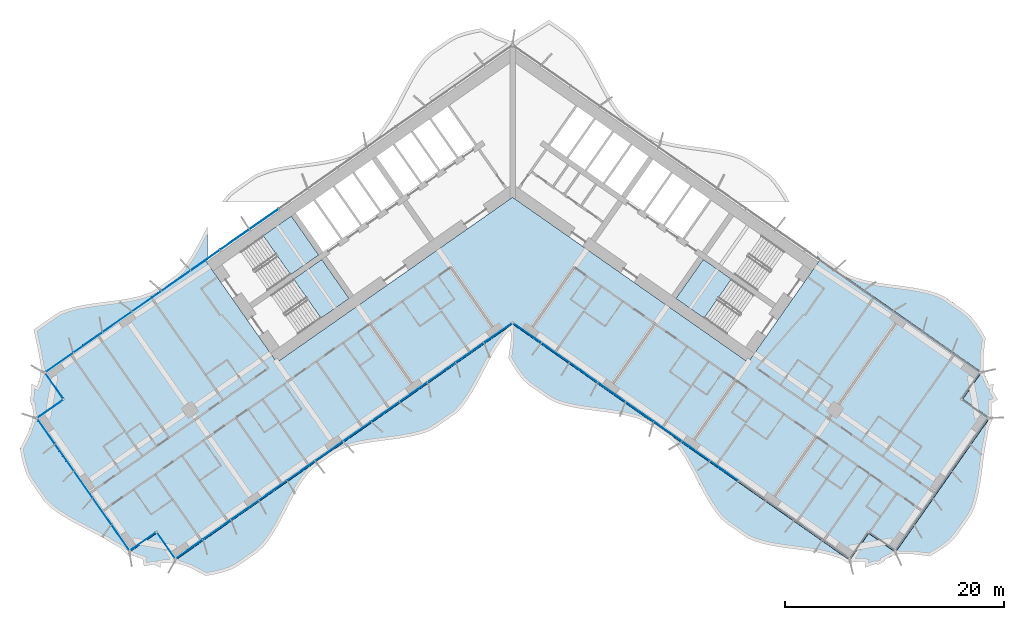
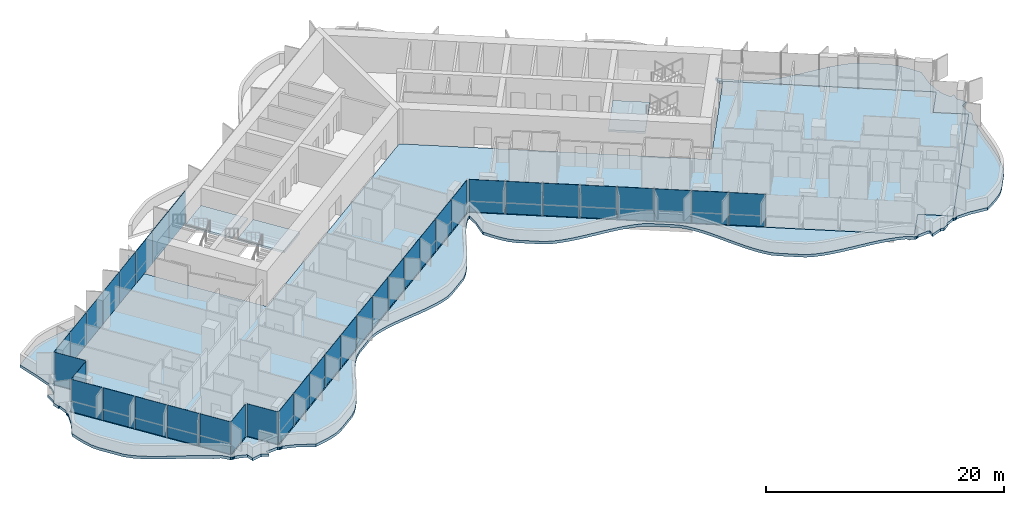
# One storey, part 11 of 25: 37 plates, 5 slabs, 5 elements without a shape of their own.
"""IFC4 building model written with IfcOpenShell, lengths in metres."""

from ifc_helpers import new_model, si_unit, direction, frame, origin, origin_2d, place, context, subcontext, project, spatial, polyline, rectangle, outline, extrude, material, layer, layer_set, type_object, element, aggregate, save


model = new_model("IFC4")

# Units and contexts
model_context = context("Model", 3, precision=1e-05, world=origin(), true_north=direction((0.0, 1.0)))
body_context = subcontext(model_context, "Body", "Model", "MODEL_VIEW")
ifc_project = project(units=[si_unit("LENGTHUNIT", "METRE"), si_unit("AREAUNIT", "SQUARE_METRE"), si_unit("VOLUMEUNIT", "CUBIC_METRE"), si_unit("PLANEANGLEUNIT", "RADIAN"), si_unit("MASSUNIT", "GRAM", prefix="KILO")], contexts=[model_context])

# Site, building, storey
site_placement = place(None, origin())
site = spatial("IfcSite", under=ifc_project, at=site_placement, CompositionType="ELEMENT")
building_placement = place(site_placement, origin())
building = spatial("IfcBuilding", under=site, at=building_placement, Name="Tel Ilan Convention Tower", CompositionType="ELEMENT")
storey_placement = place(building_placement, frame((0.0, 0.0, 58.10009765625)))
storey = spatial("IfcBuildingStorey", under=building, at=storey_placement, Name="L09", CompositionType="ELEMENT", Elevation=58.10009765625)

# Curtain wall, plates
ifc_material_1 = material(Name="Aluminium, bronze anodised", Category="aluminium")
curtain_wall_type_1 = type_object("IfcCurtainWallType", Name="CW1 UNITISED CURTAIN WALL, HOTEL TINTED GLASS", PredefinedType="NOTDEFINED", material=ifc_material_1)
curtain_wall_1_placement = place(storey_placement, origin())
curtain_wall_1 = element("IfcCurtainWall", 1, at=curtain_wall_1_placement, inside=storey, type_object=curtain_wall_type_1, Name="Curtain wall CW1-11.02", PredefinedType="NOTDEFINED")
ifc_material_2 = material(Name="Glass, bronze tinted, two-ply unitised", Category="glass")
ifc_layer_1 = layer(ifc_material_2, 0.028076171875)
ifc_layer_set_1 = layer_set([ifc_layer_1], Name="CW HOTEL GLASS PANEL 28")
plate_type_1 = type_object("IfcPlateType", Name="CW HOTEL GLASS PANEL 28", PredefinedType="CURTAIN_PANEL", material=ifc_layer_set_1)
plate_1_placement = place(storey_placement, frame((-30.765869140625, -8.846435546875, 0.0), z_axis=(0.0, 0.0, 1.0), x_axis=(-0.819152044289, -0.573576436351, 0.0)))
plate_1 = element("IfcPlate", 2, at=plate_1_placement, type_object=plate_type_1, Name="Glass panel", PredefinedType="CURTAIN_PANEL", context=body_context, shape_type="SweptSolid", body=[
    extrude(rectangle(XDim=3.2119140625, YDim=0.028076171875, at=origin_2d()), origin(), (0.0, 0.0, 1.0), 3.320068359375),
])
plate_2_placement = place(storey_placement, frame((-33.446044921875, -10.72314453125, 0.0), z_axis=(0.0, 0.0, 1.0), x_axis=(-0.819152044289, -0.573576436351, 0.0)))
plate_2 = element("IfcPlate", 3, at=plate_2_placement, type_object=plate_type_1, Name="Glass panel", PredefinedType="CURTAIN_PANEL", context=body_context, shape_type="SweptSolid", body=[
    extrude(rectangle(XDim=3.2119140625, YDim=0.028076171875, at=origin_2d()), origin(), (0.0, 0.0, 1.0), 3.320068359375),
])
plate_3_placement = place(storey_placement, frame((-36.12646484375, -12.599853515625, 0.0), z_axis=(0.0, 0.0, 1.0), x_axis=(-0.819152044289, -0.573576436351, 0.0)))
plate_3 = element("IfcPlate", 4, at=plate_3_placement, type_object=plate_type_1, Name="Glass panel", PredefinedType="CURTAIN_PANEL", context=body_context, shape_type="SweptSolid", body=[
    extrude(rectangle(XDim=3.2119140625, YDim=0.028076171875, at=origin_2d()), origin(), (0.0, 0.0, 1.0), 3.320068359375),
])
plate_4_placement = place(storey_placement, frame((-38.806640625, -14.4765625, 0.0), z_axis=(0.0, 0.0, 1.0), x_axis=(-0.819152044289, -0.573576436351, 0.0)))
plate_4 = element("IfcPlate", 5, at=plate_4_placement, type_object=plate_type_1, Name="Glass panel", PredefinedType="CURTAIN_PANEL", context=body_context, shape_type="SweptSolid", body=[
    extrude(rectangle(XDim=3.2119140625, YDim=0.028076171875, at=origin_2d()), origin(), (0.0, 0.0, 1.0), 3.320068359375),
])
plate_5_placement = place(storey_placement, frame((-41.448486328125, -16.326416015625, 0.0), z_axis=(0.0, 0.0, 1.0), x_axis=(-0.819152044289, -0.573576436351, 0.0)))
plate_5 = element("IfcPlate", 6, at=plate_5_placement, type_object=plate_type_1, Name="Glass panel", PredefinedType="CURTAIN_PANEL", context=body_context, shape_type="SweptSolid", body=[
    extrude(rectangle(XDim=3.117919921875, YDim=0.028076171875, at=origin_2d()), origin(), (0.0, 0.0, 1.0), 3.320068359375),
])
plate_6_placement = place(storey_placement, frame((-41.90673828125, -18.431640625, 0.0), z_axis=(0.0, 0.0, 1.0), x_axis=(0.573576436351, -0.819152044289, 0.0)))
plate_6 = element("IfcPlate", 7, at=plate_6_placement, type_object=plate_type_1, Name="Glass panel", PredefinedType="CURTAIN_PANEL", context=body_context, shape_type="SweptSolid", body=[
    extrude(rectangle(XDim=2.875, YDim=0.028076171875, at=origin_2d()), origin(), (0.0, 0.0, 1.0), 3.320068359375),
])
plate_7_placement = place(storey_placement, frame((-42.28466796875, -20.57421875, 0.0), z_axis=(0.0, 0.0, 1.0), x_axis=(-0.819152044289, -0.573576436351, 0.0)))
plate_7 = element("IfcPlate", 8, at=plate_7_placement, type_object=plate_type_1, Name="Glass panel", PredefinedType="CURTAIN_PANEL", context=body_context, shape_type="SweptSolid", body=[
    extrude(rectangle(XDim=2.875, YDim=0.028076171875, at=origin_2d()), origin(), (0.0, 0.0, 1.0), 3.320068359375),
])
plate_8_placement = place(storey_placement, frame((-42.65185546875, -22.597900390625, 0.0), z_axis=(0.0, 0.0, 1.0), x_axis=(0.573576436351, -0.819152044289, 0.0)))
plate_8 = element("IfcPlate", 9, at=plate_8_placement, type_object=plate_type_1, Name="Glass panel", PredefinedType="CURTAIN_PANEL", context=body_context, shape_type="SweptSolid", body=[
    extrude(rectangle(XDim=2.845947265625, YDim=0.028076171875, at=origin_2d()), origin(), (0.0, 0.0, 1.0), 3.320068359375),
])
plate_9_placement = place(storey_placement, frame((-40.9580078125, -25.016845703125, 0.0), z_axis=(0.0, 0.0, 1.0), x_axis=(0.573576436351, -0.819152044289, 0.0)))
plate_9 = element("IfcPlate", 10, at=plate_9_placement, type_object=plate_type_1, Name="Glass panel", PredefinedType="CURTAIN_PANEL", context=body_context, shape_type="SweptSolid", body=[
    extrude(rectangle(XDim=2.93994140625, YDim=0.028076171875, at=origin_2d()), origin(), (0.0, 0.0, 1.0), 3.320068359375),
])
plate_10_placement = place(storey_placement, frame((-39.2373046875, -27.474365234375, 0.0), z_axis=(0.0, 0.0, 1.0), x_axis=(0.573576436351, -0.819152044289, 0.0)))
plate_10 = element("IfcPlate", 11, at=plate_10_placement, type_object=plate_type_1, Name="Glass panel", PredefinedType="CURTAIN_PANEL", context=body_context, shape_type="SweptSolid", body=[
    extrude(rectangle(XDim=2.93994140625, YDim=0.028076171875, at=origin_2d()), origin(), (0.0, 0.0, 1.0), 3.320068359375),
])
plate_11_placement = place(storey_placement, frame((-37.5166015625, -29.931884765625, 0.0), z_axis=(0.0, 0.0, 1.0), x_axis=(0.573576436351, -0.819152044289, 0.0)))
plate_11 = element("IfcPlate", 12, at=plate_11_placement, type_object=plate_type_1, Name="Glass panel", PredefinedType="CURTAIN_PANEL", context=body_context, shape_type="SweptSolid", body=[
    extrude(rectangle(XDim=2.93994140625, YDim=0.028076171875, at=origin_2d()), origin(), (0.0, 0.0, 1.0), 3.320068359375),
])
plate_12_placement = place(storey_placement, frame((-35.822998046875, -32.350830078125, 0.0), z_axis=(0.0, 0.0, 1.0), x_axis=(0.573576436351, -0.819152044289, 0.0)))
plate_12 = element("IfcPlate", 13, at=plate_12_placement, type_object=plate_type_1, Name="Glass panel", PredefinedType="CURTAIN_PANEL", context=body_context, shape_type="SweptSolid", body=[
    extrude(rectangle(XDim=2.845947265625, YDim=0.028076171875, at=origin_2d()), origin(), (0.0, 0.0, 1.0), 3.320068359375),
])
plate_13_placement = place(storey_placement, frame((-33.795654296875, -32.69775390625, 0.0), z_axis=(0.0, 0.0, 1.0), x_axis=(0.819152044289, 0.573576436351, 0.0)))
plate_13 = element("IfcPlate", 14, at=plate_13_placement, type_object=plate_type_1, Name="Glass panel", PredefinedType="CURTAIN_PANEL", context=body_context, shape_type="SweptSolid", body=[
    extrude(rectangle(XDim=2.875, YDim=0.028076171875, at=origin_2d()), origin(), (0.0, 0.0, 1.0), 3.320068359375),
])
plate_14_placement = place(storey_placement, frame((-31.653076171875, -33.07568359375, 0.0), z_axis=(0.0, 0.0, 1.0), x_axis=(0.573576436351, -0.819152044289, 0.0)))
plate_14 = element("IfcPlate", 15, at=plate_14_placement, type_object=plate_type_1, Name="Glass panel", PredefinedType="CURTAIN_PANEL", context=body_context, shape_type="SweptSolid", body=[
    extrude(rectangle(XDim=2.875, YDim=0.028076171875, at=origin_2d()), origin(), (0.0, 0.0, 1.0), 3.320068359375),
])
plate_15_placement = place(storey_placement, frame((-29.5732421875, -33.4033203125, 0.0), z_axis=(0.0, 0.0, 1.0), x_axis=(0.819152044289, 0.573576436351, 0.0)))
plate_15 = element("IfcPlate", 16, at=plate_15_placement, type_object=plate_type_1, Name="Glass panel", PredefinedType="CURTAIN_PANEL", context=body_context, shape_type="SweptSolid", body=[
    extrude(rectangle(XDim=2.9833984375, YDim=0.028076171875, at=origin_2d()), origin(), (0.0, 0.0, 1.0), 3.320068359375),
])
plate_16_placement = place(storey_placement, frame((-27.041748046875, -31.630859375, 0.0), z_axis=(0.0, 0.0, 1.0), x_axis=(0.819152044289, 0.573576436351, 0.0)))
plate_16 = element("IfcPlate", 17, at=plate_16_placement, type_object=plate_type_1, Name="Glass panel", PredefinedType="CURTAIN_PANEL", context=body_context, shape_type="SweptSolid", body=[
    extrude(rectangle(XDim=3.077392578125, YDim=0.028076171875, at=origin_2d()), origin(), (0.0, 0.0, 1.0), 3.320068359375),
])
plate_17_placement = place(storey_placement, frame((-24.4716796875, -29.831298828125, 0.0), z_axis=(0.0, 0.0, 1.0), x_axis=(0.819152044289, 0.573576436351, 0.0)))
plate_17 = element("IfcPlate", 18, at=plate_17_placement, type_object=plate_type_1, Name="Glass panel", PredefinedType="CURTAIN_PANEL", context=body_context, shape_type="SweptSolid", body=[
    extrude(rectangle(XDim=3.077392578125, YDim=0.028076171875, at=origin_2d()), origin(), (0.0, 0.0, 1.0), 3.320068359375),
])
plate_18_placement = place(storey_placement, frame((-21.90185546875, -28.031982421875, 0.0), z_axis=(0.0, 0.0, 1.0), x_axis=(0.819152044289, 0.573576436351, 0.0)))
plate_18 = element("IfcPlate", 19, at=plate_18_placement, type_object=plate_type_1, Name="Glass panel", PredefinedType="CURTAIN_PANEL", context=body_context, shape_type="SweptSolid", body=[
    extrude(rectangle(XDim=3.077392578125, YDim=0.028076171875, at=origin_2d()), origin(), (0.0, 0.0, 1.0), 3.320068359375),
])
plate_19_placement = place(storey_placement, frame((-19.33203125, -26.232421875, 0.0), z_axis=(0.0, 0.0, 1.0), x_axis=(0.819152044289, 0.573576436351, 0.0)))
plate_19 = element("IfcPlate", 20, at=plate_19_placement, type_object=plate_type_1, Name="Glass panel", PredefinedType="CURTAIN_PANEL", context=body_context, shape_type="SweptSolid", body=[
    extrude(rectangle(XDim=3.077392578125, YDim=0.028076171875, at=origin_2d()), origin(), (0.0, 0.0, 1.0), 3.320068359375),
])
plate_20_placement = place(storey_placement, frame((-16.761962890625, -24.432861328125, 0.0), z_axis=(0.0, 0.0, 1.0), x_axis=(0.819152044289, 0.573576436351, 0.0)))
plate_20 = element("IfcPlate", 21, at=plate_20_placement, type_object=plate_type_1, Name="Glass panel", PredefinedType="CURTAIN_PANEL", context=body_context, shape_type="SweptSolid", body=[
    extrude(rectangle(XDim=3.077392578125, YDim=0.028076171875, at=origin_2d()), origin(), (0.0, 0.0, 1.0), 3.320068359375),
])
plate_21_placement = place(storey_placement, frame((-14.192138671875, -22.633544921875, 0.0), z_axis=(0.0, 0.0, 1.0), x_axis=(0.819152044289, 0.573576436351, 0.0)))
plate_21 = element("IfcPlate", 22, at=plate_21_placement, type_object=plate_type_1, Name="Glass panel", PredefinedType="CURTAIN_PANEL", context=body_context, shape_type="SweptSolid", body=[
    extrude(rectangle(XDim=3.077392578125, YDim=0.028076171875, at=origin_2d()), origin(), (0.0, 0.0, 1.0), 3.320068359375),
])
plate_22_placement = place(storey_placement, frame((-11.6220703125, -20.833984375, 0.0), z_axis=(0.0, 0.0, 1.0), x_axis=(0.819152044289, 0.573576436351, 0.0)))
plate_22 = element("IfcPlate", 23, at=plate_22_placement, type_object=plate_type_1, Name="Glass panel", PredefinedType="CURTAIN_PANEL", context=body_context, shape_type="SweptSolid", body=[
    extrude(rectangle(XDim=3.077392578125, YDim=0.028076171875, at=origin_2d()), origin(), (0.0, 0.0, 1.0), 3.320068359375),
])
plate_23_placement = place(storey_placement, frame((-9.05224609375, -19.034423828125, 0.0), z_axis=(0.0, 0.0, 1.0), x_axis=(0.819152044289, 0.573576436351, 0.0)))
plate_23 = element("IfcPlate", 24, at=plate_23_placement, type_object=plate_type_1, Name="Glass panel", PredefinedType="CURTAIN_PANEL", context=body_context, shape_type="SweptSolid", body=[
    extrude(rectangle(XDim=3.077392578125, YDim=0.028076171875, at=origin_2d()), origin(), (0.0, 0.0, 1.0), 3.320068359375),
])
plate_24_placement = place(storey_placement, frame((-6.482177734375, -17.23486328125, 0.0), z_axis=(0.0, 0.0, 1.0), x_axis=(0.819152044289, 0.573576436351, 0.0)))
plate_24 = element("IfcPlate", 25, at=plate_24_placement, type_object=plate_type_1, Name="Glass panel", PredefinedType="CURTAIN_PANEL", context=body_context, shape_type="SweptSolid", body=[
    extrude(rectangle(XDim=3.077392578125, YDim=0.028076171875, at=origin_2d()), origin(), (0.0, 0.0, 1.0), 3.320068359375),
])
plate_25_placement = place(storey_placement, frame((-3.912353515625, -15.435546875, 0.0), z_axis=(0.0, 0.0, 1.0), x_axis=(0.819152044289, 0.573576436351, 0.0)))
plate_25 = element("IfcPlate", 26, at=plate_25_placement, type_object=plate_type_1, Name="Glass panel", PredefinedType="CURTAIN_PANEL", context=body_context, shape_type="SweptSolid", body=[
    extrude(rectangle(XDim=3.077392578125, YDim=0.028076171875, at=origin_2d()), origin(), (0.0, 0.0, 1.0), 3.320068359375),
])
plate_26_placement = place(storey_placement, frame((-1.3427734375, -13.63623046875, 0.0), z_axis=(0.0, 0.0, 1.0), x_axis=(0.819152044289, 0.573576436351, 0.0)))
plate_26 = element("IfcPlate", 27, at=plate_26_placement, type_object=plate_type_1, Name="Glass panel", PredefinedType="CURTAIN_PANEL", context=body_context, shape_type="SweptSolid", body=[
    extrude(rectangle(XDim=3.076416015625, YDim=0.028076171875, at=origin_2d()), origin(), (0.0, 0.0, 1.0), 3.320068359375),
])
plate_27_placement = place(storey_placement, frame((1.354248046875, -13.644287109375, 0.0), z_axis=(0.0, 0.0, 1.0), x_axis=(0.819152044289, -0.573576436351, 0.0)))
plate_27 = element("IfcPlate", 28, at=plate_27_placement, type_object=plate_type_1, Name="Glass panel", PredefinedType="CURTAIN_PANEL", context=body_context, shape_type="SweptSolid", body=[
    extrude(rectangle(XDim=3.048095703125, YDim=0.028076171875, at=origin_2d()), origin(), (0.0, 0.0, 1.0), 3.320068359375),
])
plate_28_placement = place(storey_placement, frame((3.912353515625, -15.435546875, 0.0), z_axis=(0.0, 0.0, 1.0), x_axis=(0.819152044289, -0.573576436351, 0.0)))
plate_28 = element("IfcPlate", 29, at=plate_28_placement, type_object=plate_type_1, Name="Glass panel", PredefinedType="CURTAIN_PANEL", context=body_context, shape_type="SweptSolid", body=[
    extrude(rectangle(XDim=3.077392578125, YDim=0.028076171875, at=origin_2d()), origin(), (0.0, 0.0, 1.0), 3.320068359375),
])
plate_29_placement = place(storey_placement, frame((6.482177734375, -17.23486328125, 0.0), z_axis=(0.0, 0.0, 1.0), x_axis=(0.819152044289, -0.573576436351, 0.0)))
plate_29 = element("IfcPlate", 30, at=plate_29_placement, type_object=plate_type_1, Name="Glass panel", PredefinedType="CURTAIN_PANEL", context=body_context, shape_type="SweptSolid", body=[
    extrude(rectangle(XDim=3.077392578125, YDim=0.028076171875, at=origin_2d()), origin(), (0.0, 0.0, 1.0), 3.320068359375),
])
plate_30_placement = place(storey_placement, frame((9.05224609375, -19.034423828125, 0.0), z_axis=(0.0, 0.0, 1.0), x_axis=(0.819152044289, -0.573576436351, 0.0)))
plate_30 = element("IfcPlate", 31, at=plate_30_placement, type_object=plate_type_1, Name="Glass panel", PredefinedType="CURTAIN_PANEL", context=body_context, shape_type="SweptSolid", body=[
    extrude(rectangle(XDim=3.077392578125, YDim=0.028076171875, at=origin_2d()), origin(), (0.0, 0.0, 1.0), 3.320068359375),
])
plate_31_placement = place(storey_placement, frame((11.6220703125, -20.833984375, 0.0), z_axis=(0.0, 0.0, 1.0), x_axis=(0.819152044289, -0.573576436351, 0.0)))
plate_31 = element("IfcPlate", 32, at=plate_31_placement, type_object=plate_type_1, Name="Glass panel", PredefinedType="CURTAIN_PANEL", context=body_context, shape_type="SweptSolid", body=[
    extrude(rectangle(XDim=3.077392578125, YDim=0.028076171875, at=origin_2d()), origin(), (0.0, 0.0, 1.0), 3.320068359375),
])
plate_32_placement = place(storey_placement, frame((14.192138671875, -22.633544921875, 0.0), z_axis=(0.0, 0.0, 1.0), x_axis=(0.819152044289, -0.573576436351, 0.0)))
plate_32 = element("IfcPlate", 33, at=plate_32_placement, type_object=plate_type_1, Name="Glass panel", PredefinedType="CURTAIN_PANEL", context=body_context, shape_type="SweptSolid", body=[
    extrude(rectangle(XDim=3.077392578125, YDim=0.028076171875, at=origin_2d()), origin(), (0.0, 0.0, 1.0), 3.320068359375),
])
plate_33_placement = place(storey_placement, frame((16.761962890625, -24.432861328125, 0.0), z_axis=(0.0, 0.0, 1.0), x_axis=(0.819152044289, -0.573576436351, 0.0)))
plate_33 = element("IfcPlate", 34, at=plate_33_placement, type_object=plate_type_1, Name="Glass panel", PredefinedType="CURTAIN_PANEL", context=body_context, shape_type="SweptSolid", body=[
    extrude(rectangle(XDim=3.077392578125, YDim=0.028076171875, at=origin_2d()), origin(), (0.0, 0.0, 1.0), 3.320068359375),
])
plate_34_placement = place(storey_placement, frame((19.33203125, -26.232421875, 0.0), z_axis=(0.0, 0.0, 1.0), x_axis=(0.819152044289, -0.573576436351, 0.0)))
plate_34 = element("IfcPlate", 35, at=plate_34_placement, type_object=plate_type_1, Name="Glass panel", PredefinedType="CURTAIN_PANEL", context=body_context, shape_type="SweptSolid", body=[
    extrude(rectangle(XDim=3.077392578125, YDim=0.028076171875, at=origin_2d()), origin(), (0.0, 0.0, 1.0), 3.320068359375),
])
aggregate(curtain_wall_1, [plate_1, plate_2, plate_3, plate_4, plate_5, plate_6, plate_7, plate_8, plate_9, plate_10, plate_11, plate_12, plate_13, plate_14, plate_15, plate_16, plate_17, plate_18, plate_19, plate_20, plate_21, plate_22, plate_23, plate_24, plate_25, plate_26, plate_27, plate_28, plate_29, plate_30, plate_31, plate_32, plate_33, plate_34])

ifc_material_3 = material(Name="Aluminium, bronze anodised", Category="aluminium")
curtain_wall_type_2 = type_object("IfcCurtainWallType", Name="CW2 STICK CURTAIN WALL, SPANDREL PANELS", PredefinedType="NOTDEFINED", material=ifc_material_3)
curtain_wall_2_placement = place(storey_placement, origin())
curtain_wall_2 = element("IfcCurtainWall", 36, at=curtain_wall_2_placement, inside=storey, type_object=curtain_wall_type_2, Name="Curtain wall CW2-11.01", PredefinedType="NOTDEFINED")
ifc_material_4 = material(Name="Aluminium composite panel, bronze anodised", Category="aluminium")
ifc_layer_2 = layer(ifc_material_4, 0.06005859375)
ifc_layer_set_2 = layer_set([ifc_layer_2], Name="CW SPANDREL PANEL 60")
plate_type_2 = type_object("IfcPlateType", Name="CW SPANDREL PANEL 60", PredefinedType="CURTAIN_PANEL", material=ifc_layer_set_2)
plate_35_placement = place(storey_placement, frame((-22.72509765625, -3.216064453125, 0.0), z_axis=(0.0, 0.0, 1.0), x_axis=(-0.819152044289, -0.573576436351, 0.0)))
plate_35 = element("IfcPlate", 37, at=plate_35_placement, type_object=plate_type_2, Name="Spandrel panel", PredefinedType="CURTAIN_PANEL", context=body_context, shape_type="SweptSolid", body=[
    extrude(rectangle(XDim=3.2119140625, YDim=0.06005859375, at=origin_2d()), origin(), (0.0, 0.0, 1.0), 3.320068359375),
])
plate_36_placement = place(storey_placement, frame((-25.4052734375, -5.0927734375, 0.0), z_axis=(0.0, 0.0, 1.0), x_axis=(-0.819152044289, -0.573576436351, 0.0)))
plate_36 = element("IfcPlate", 38, at=plate_36_placement, type_object=plate_type_2, Name="Spandrel panel", PredefinedType="CURTAIN_PANEL", context=body_context, shape_type="SweptSolid", body=[
    extrude(rectangle(XDim=3.2119140625, YDim=0.06005859375, at=origin_2d()), origin(), (0.0, 0.0, 1.0), 3.320068359375),
])
plate_37_placement = place(storey_placement, frame((-28.08544921875, -6.9697265625, 0.0), z_axis=(0.0, 0.0, 1.0), x_axis=(-0.819152044289, -0.573576436351, 0.0)))
plate_37 = element("IfcPlate", 39, at=plate_37_placement, type_object=plate_type_2, Name="Spandrel panel", PredefinedType="CURTAIN_PANEL", context=body_context, shape_type="SweptSolid", body=[
    extrude(rectangle(XDim=3.2119140625, YDim=0.06005859375, at=origin_2d()), origin(), (0.0, 0.0, 1.0), 3.320068359375),
])
aggregate(curtain_wall_2, [plate_35, plate_36, plate_37])

# Stair, slab
ifc_material_5 = material(Name="Concrete C40/50", Category="concrete")
stair_type = type_object("IfcStairType", Name="Pressurised Exit Stair 20 risers 180 mm", PredefinedType="HALF_TURN_STAIR", material=ifc_material_5)
stair_1_placement = place(storey_placement, origin())
stair_1 = element("IfcStair", 40, at=stair_1_placement, inside=storey, type_object=stair_type, Name="L09 Pressurised Stair S1", PredefinedType="HALF_TURN_STAIR")
ifc_material_6 = material(Name="Concrete C40/50", Category="concrete")
ifc_layer_3 = layer(ifc_material_6, 0.199951171875)
ifc_layer_set_3 = layer_set([ifc_layer_3], Name="Concrete Stair Landing 200 mm C40/50")
slab_type_1 = type_object("IfcSlabType", Name="Concrete Stair Landing 200 mm", PredefinedType="LANDING", material=ifc_layer_set_3)
slab_1_placement = place(storey_placement, frame((0.0, 0.0, 1.599853515625)))
slab_1 = element("IfcSlab", 41, at=slab_1_placement, type_object=slab_type_1, Name="S1 landing 1", PredefinedType="LANDING", context=body_context, shape_type="SweptSolid", body=[
    extrude(outline(polyline([(-20.2958984375, -8.29052734375), (-17.7314453125, -6.494873046875), (-20.226318359375, -2.931640625), (-22.791015625, -4.727294921875), (-20.2958984375, -8.29052734375)])), origin(), (0.0, 0.0, 1.0), 0.199951171875),
])
aggregate(stair_1, [slab_1])

stair_2_placement = place(storey_placement, origin())
stair_2 = element("IfcStair", 42, at=stair_2_placement, inside=storey, type_object=stair_type, Name="L09 Pressurised Stair S2", PredefinedType="HALF_TURN_STAIR")
slab_2_placement = place(storey_placement, frame((0.0, 0.0, 1.599853515625)))
slab_2 = element("IfcSlab", 43, at=slab_2_placement, type_object=slab_type_1, Name="S2 landing 1", PredefinedType="LANDING", context=body_context, shape_type="SweptSolid", body=[
    extrude(outline(polyline([(-17.51416015625, -12.263427734375), (-14.949462890625, -10.4677734375), (-17.444580078125, -6.904541015625), (-20.00927734375, -8.7001953125), (-17.51416015625, -12.263427734375)])), origin(), (0.0, 0.0, 1.0), 0.199951171875),
])
aggregate(stair_2, [slab_2])

stair_3_placement = place(storey_placement, origin())
stair_3 = element("IfcStair", 44, at=stair_3_placement, inside=storey, type_object=stair_type, Name="L09 Pressurised Stair S4", PredefinedType="HALF_TURN_STAIR")
slab_3_placement = place(storey_placement, frame((0.0, 0.0, 1.599853515625)))
slab_3 = element("IfcSlab", 45, at=slab_3_placement, type_object=slab_type_1, Name="S4 landing 1", PredefinedType="LANDING", context=body_context, shape_type="SweptSolid", body=[
    extrude(outline(polyline([(20.00927734375, -8.7001953125), (17.444580078125, -6.904541015625), (14.949462890625, -10.4677734375), (17.51416015625, -12.263427734375), (20.00927734375, -8.7001953125)])), origin(), (0.0, 0.0, 1.0), 0.199951171875),
])
aggregate(stair_3, [slab_3])

# Slabs
ifc_material_7 = material(Name="Concrete C40/50", Category="concrete")
ifc_layer_4 = layer(ifc_material_7, 0.280029296875)
ifc_layer_set_4 = layer_set([ifc_layer_4], Name="Edge Ledge Slab 280 mm C40/50")
slab_type_2 = type_object("IfcSlabType", Name="Edge Ledge Slab 280 mm C40/50", PredefinedType="FLOOR", material=ifc_layer_set_4)
slab_4_placement = place(storey_placement, frame((0.0, 0.0, -0.280029296875)))
element("IfcSlab", 46, at=slab_4_placement, inside=storey, type_object=slab_type_2, Name="L09 edge ledge 1", PredefinedType="FLOOR", context=body_context, shape_type="SweptSolid", body=[
    extrude(outline(polyline([(-30.83935546875, -34.412109375), (0.0, -12.818115234375), (30.83935546875, -34.412109375), (31.006591796875, -34.173095703125), (31.8720703125, -32.93701171875), (32.56005859375, -31.95458984375), (35.017578125, -33.67529296875), (43.62109375, -21.387939453125), (41.163818359375, -19.667236328125), (42.884521484375, -17.209716796875), (27.875, -6.7001953125), (27.875, -6.095458984375), (28.356689453125, -6.663818359375), (28.9658203125, -7.097900390625), (30.191162109375, -7.955810546875), (30.819091796875, -8.36279296875), (31.54931640625, -8.623779296875), (32.318115234375, -8.830078125), (33.117919921875, -8.99169921875), (33.940185546875, -9.120849609375), (34.77587890625, -9.2314453125), (35.614501953125, -9.337646484375), (36.44580078125, -9.4541015625), (37.260009765625, -9.595458984375), (38.0478515625, -9.774169921875), (38.80126953125, -10.001953125), (39.492919921875, -10.318115234375), (41.330810546875, -11.605224609375), (41.898193359375, -12.098876953125), (42.38134765625, -12.712890625), (42.827880859375, -13.378662109375), (43.245849609375, -14.085693359375), (43.041259765625, -15.681884765625), (43.056396484375, -16.964111328125), (43.05322265625, -16.96875), (43.096435546875, -16.997802734375), (43.16162109375, -17.094970703125), (43.184326171875, -17.209716796875), (43.16162109375, -17.32470703125), (43.12548828125, -17.378662109375), (43.130126953125, -17.3818359375), (43.590087890625, -18.400390625), (43.980224609375, -18.259765625), (43.89599609375, -18.9287109375), (44.357421875, -19.7060546875), (43.8017578125, -20.049560546875), (43.78125, -20.04541015625), (43.793212890625, -21.142333984375), (43.789794921875, -21.14697265625), (43.833251953125, -21.17578125), (43.898193359375, -21.273193359375), (43.921142578125, -21.387939453125), (43.898193359375, -21.502685546875), (43.8623046875, -21.556884765625), (43.866943359375, -21.56005859375), (43.5263671875, -22.2373046875), (43.40673828125, -23.069091796875), (43.24267578125, -23.86962890625), (43.11181640625, -24.693603515625), (43.00048828125, -25.53125), (42.89404296875, -26.372314453125), (42.777587890625, -27.20654296875), (42.63720703125, -28.023681640625), (42.45947265625, -28.814697265625), (42.232421875, -29.571533203125), (41.919921875, -30.268310546875), (40.62939453125, -32.111328125), (40.13671875, -32.681884765625), (39.521728515625, -33.1669921875), (38.8544921875, -33.615234375), (38.145751953125, -34.034423828125), (36.55078125, -33.833251953125), (35.26318359375, -33.847412109375), (35.258544921875, -33.843994140625), (35.2294921875, -33.887451171875), (35.13232421875, -33.952392578125), (35.017578125, -33.975341796875), (34.902587890625, -33.952392578125), (34.8486328125, -33.91650390625), (34.845458984375, -33.921142578125), (33.979248046875, -34.3603515625), (34.032958984375, -34.45068359375), (33.477294921875, -34.794189453125), (33.17138671875, -34.73291015625), (32.20068359375, -35.082763671875), (32.267822265625, -34.55126953125), (32.01025390625, -34.49951171875), (31.0849609375, -34.583984375), (31.080322265625, -34.580810546875), (31.051513671875, -34.624267578125), (30.9541015625, -34.689208984375), (30.83935546875, -34.7119140625), (30.724609375, -34.689208984375), (30.67041015625, -34.653076171875), (30.667236328125, -34.65771484375), (30.052001953125, -34.24951171875), (29.31787109375, -34.010986328125), (28.5576171875, -33.809814453125), (27.76708984375, -33.6513671875), (26.955078125, -33.5244140625), (26.130126953125, -33.415283203125), (25.302490234375, -33.310546875), (24.481689453125, -33.19580078125), (23.67724609375, -33.0576171875), (22.898193359375, -32.8828125), (22.15234375, -32.6611328125), (21.460693359375, -32.362060546875), (19.646728515625, -31.091796875), (19.073486328125, -30.623291015625), (18.59130859375, -30.025146484375), (18.145263671875, -29.375), (17.728759765625, -28.682861328125), (17.333251953125, -27.960693359375), (16.949462890625, -27.2216796875), (16.567626953125, -26.47998046875), (16.177734375, -25.749755859375), (15.7705078125, -25.044189453125), (15.33740234375, -24.376220703125), (14.8701171875, -23.75634765625), (14.340576171875, -23.2255859375), (12.526611328125, -21.95556640625), (11.8798828125, -21.591796875), (11.14892578125, -21.3486328125), (10.38232421875, -21.15673828125), (9.5869140625, -21.005615234375), (8.771484375, -20.883056640625), (7.9453125, -20.77587890625), (7.1181640625, -20.67041015625), (6.2998046875, -20.552001953125), (5.499755859375, -20.40771484375), (4.726806640625, -20.224609375), (3.98828125, -19.9921875), (3.320068359375, -19.65966796875), (1.505859375, -18.389404296875), (0.95361328125, -17.89111328125), (0.47900390625, -17.281982421875), (0.03955078125, -16.62255859375), (-0.37109375, -15.922119140625), (-0.15185546875, -14.322021484375), (-0.16796875, -13.314697265625), (-0.422119140625, -13.502197265625), (-0.897216796875, -14.110595703125), (-1.346435546875, -14.75634765625), (-1.765380859375, -15.44482421875), (-2.16259765625, -16.16455078125), (-2.547119140625, -16.90234375), (-2.9287109375, -17.644287109375), (-3.3173828125, -18.37646484375), (-3.722412109375, -19.0849609375), (-4.15283203125, -19.757080078125), (-4.616455078125, -20.38232421875), (-5.134033203125, -20.929931640625), (-6.947998046875, -22.2001953125), (-7.584228515625, -22.57861328125), (-8.311279296875, -22.8271484375), (-9.074951171875, -23.023681640625), (-9.867919921875, -23.178466796875), (-10.681640625, -23.30322265625), (-11.507080078125, -23.4111328125), (-12.334716796875, -23.516357421875), (-13.154296875, -23.6328125), (-13.95654296875, -23.774169921875), (-14.732666015625, -23.952880859375), (-15.474853515625, -24.1796875), (-16.154541015625, -24.495849609375), (-17.96875, -25.76611328125), (-18.531494140625, -26.249267578125), (-19.010009765625, -26.85302734375), (-19.45263671875, -27.5078125), (-19.86669921875, -28.20361328125), (-20.2607421875, -28.927978515625), (-20.643798828125, -29.66748046875), (-21.02587890625, -30.40869140625), (-21.4169921875, -31.13720703125), (-21.826416015625, -31.839599609375), (-22.262939453125, -32.50341796875), (-22.733642578125, -33.117919921875), (-23.27490234375, -33.632080078125), (-25.0888671875, -34.90234375), (-25.74609375, -35.2509765625), (-26.48095703125, -35.488525390625), (-27.250732421875, -35.676025390625), (-28.049560546875, -35.822265625), (-29.47802734375, -35.069091796875), (-30.667236328125, -34.65771484375), (-30.67041015625, -34.653076171875), (-30.724609375, -34.689208984375), (-30.83935546875, -34.7119140625), (-30.9541015625, -34.689208984375), (-31.051513671875, -34.624267578125), (-31.080322265625, -34.580810546875), (-31.0849609375, -34.583984375), (-32.199462890625, -34.66796875), (-32.20068359375, -35.082763671875), (-32.80029296875, -34.77490234375), (-33.688720703125, -34.9423828125), (-33.821533203125, -34.302734375), (-33.810546875, -34.284912109375), (-34.845458984375, -33.921142578125), (-34.8486328125, -33.91650390625), (-34.902587890625, -33.952392578125), (-35.017578125, -33.975341796875), (-35.13232421875, -33.952392578125), (-35.2294921875, -33.887451171875), (-35.258544921875, -33.843994140625), (-35.26318359375, -33.847412109375), (-35.783203125, -33.2958984375), (-36.523681640625, -32.89892578125), (-37.22021484375, -32.470703125), (-37.94970703125, -32.066162109375), (-38.698486328125, -31.6748046875), (-39.452392578125, -31.287353515625), (-40.196533203125, -30.892578125), (-40.91650390625, -30.481201171875), (-41.59912109375, -30.04345703125), (-42.232421875, -29.571533203125), (-42.7802734375, -29.03955078125), (-44.07080078125, -27.1962890625), (-44.438720703125, -26.538330078125), (-44.68408203125, -25.794677734375), (-44.876953125, -25.01416015625), (-45.028564453125, -24.20458984375), (-44.2939453125, -22.77490234375), (-43.866943359375, -21.56005859375), (-43.8623046875, -21.556884765625), (-43.898193359375, -21.502685546875), (-43.921142578125, -21.387939453125), (-43.898193359375, -21.273193359375), (-43.833251953125, -21.17578125), (-43.789794921875, -21.14697265625), (-43.793212890625, -21.142333984375), (-43.909912109375, -20.177978515625), (-44.01318359375, -20.197509765625), (-44.14599609375, -19.55810546875), (-43.9833984375, -19.29150390625), (-43.980224609375, -18.259765625), (-43.50390625, -18.504638671875), (-43.3671875, -18.2802734375), (-43.130126953125, -17.3818359375), (-43.12548828125, -17.378662109375), (-43.16162109375, -17.32470703125), (-43.184326171875, -17.209716796875), (-43.16162109375, -17.094970703125), (-43.096435546875, -16.997802734375), (-43.05322265625, -16.96875), (-43.056396484375, -16.964111328125), (-43.364990234375, -15.219482421875), (-43.78125, -13.321044921875), (-43.168701171875, -12.89208984375), (-41.943603515625, -12.0341796875), (-41.30322265625, -11.64453125), (-40.56787109375, -11.390869140625), (-39.794921875, -11.19091796875), (-38.99169921875, -11.033935546875), (-38.1669921875, -10.90771484375), (-37.33056640625, -10.798583984375), (-36.4921875, -10.69189453125), (-35.66259765625, -10.572998046875), (-34.851318359375, -10.427734375), (-34.067138671875, -10.243408203125), (-33.318603515625, -10.0087890625), (-32.6416015625, -9.671630859375), (-30.8037109375, -8.384765625), (-30.250244140625, -7.87109375), (-29.772216796875, -7.250244140625), (-29.329345703125, -6.57861328125), (-28.91455078125, -5.8671875), (-28.518310546875, -5.129150390625), (-28.131103515625, -4.378173828125), (-27.875, -3.883544921875), (-27.875, -6.7001953125), (-42.884521484375, -17.209716796875), (-41.163818359375, -19.667236328125), (-43.62109375, -21.387939453125), (-35.017578125, -33.67529296875), (-32.56005859375, -31.95458984375), (-31.8720703125, -32.93701171875), (-31.008056640625, -34.1708984375), (-30.83935546875, -34.412109375)])), origin(), (0.0, 0.0, 1.0), 0.280029296875),
])
ifc_material_8 = material(Name="Concrete C40/50", Category="concrete")
ifc_layer_5 = layer(ifc_material_8, 0.280029296875)
ifc_layer_set_5 = layer_set([ifc_layer_5], Name="Flat Plate Floor Slab 280 mm C40/50")
slab_type_3 = type_object("IfcSlabType", Name="Flat Plate Floor Slab 280 mm C40/50", PredefinedType="FLOOR", material=ifc_layer_set_5)
slab_5_placement = place(storey_placement, frame((0.0, 0.0, -0.280029296875)))
element("IfcSlab", 47, at=slab_5_placement, inside=storey, type_object=slab_type_3, Name="L09 floor slab", PredefinedType="FLOOR", context=body_context, shape_type="SweptSolid", body=[
    extrude(outline(polyline([(-21.54345703125, -16.3056640625), (0.0, -1.220703125), (21.54345703125, -16.3056640625), (28.1396484375, -6.885498046875), (42.884521484375, -17.209716796875), (41.163818359375, -19.667236328125), (43.62109375, -21.387939453125), (35.017578125, -33.67529296875), (32.56005859375, -31.95458984375), (30.83935546875, -34.412109375), (0.0, -12.818115234375), (-30.83935546875, -34.412109375), (-32.56005859375, -31.95458984375), (-35.017578125, -33.67529296875), (-43.62109375, -21.387939453125), (-41.163818359375, -19.667236328125), (-42.884521484375, -17.209716796875), (-28.1396484375, -6.885498046875), (-21.54345703125, -16.3056640625)])), origin(), (0.0, 0.0, 1.0), 0.280029296875),
])

save(model, "model.ifc")
